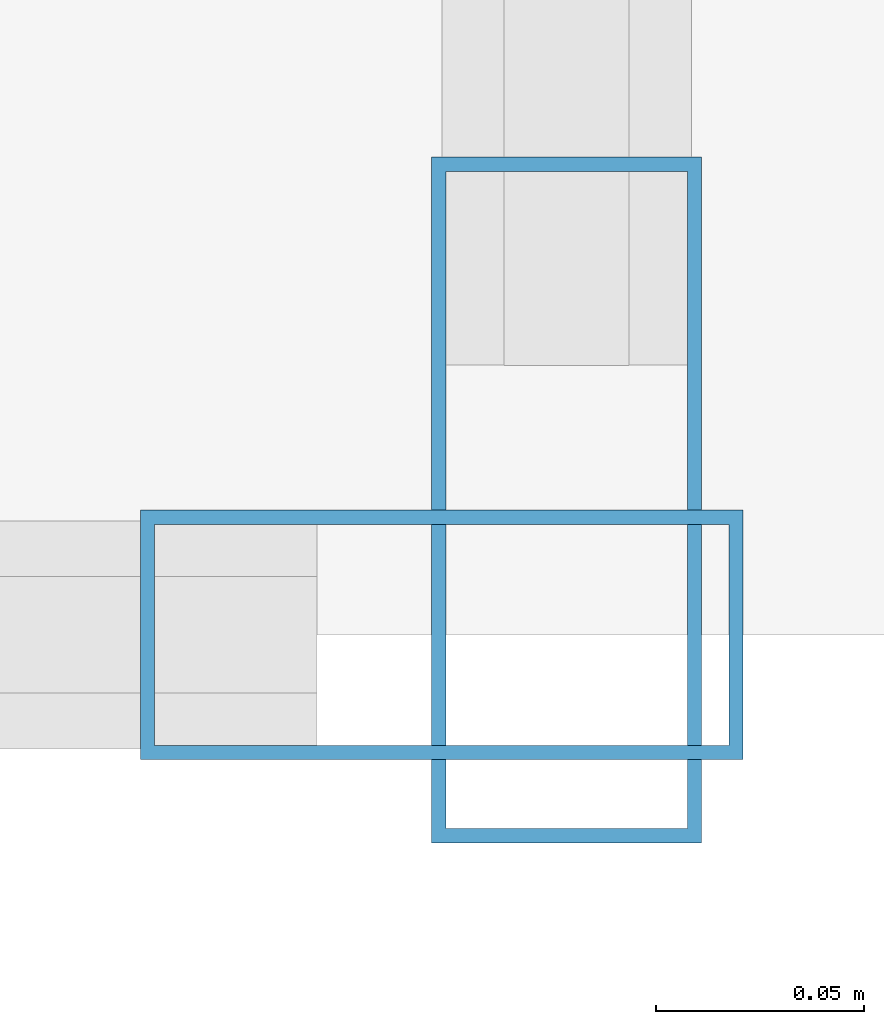
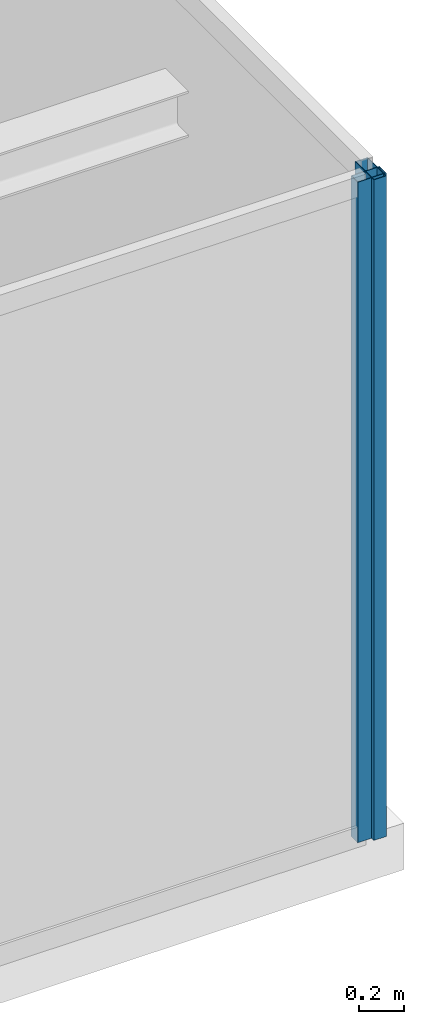
# One storey, part 17 of 31: 2 members, 2 elements without a shape of their own.
"""IFC4 building model written with IfcOpenShell, lengths in metres."""

import ifcopenshell
import ifcopenshell.guid

model = None  # the IFC model being written
_history = None  # IfcOwnerHistory: only IFC2X3 demands one
_inside = {}  # id of a spatial element -> (the spatial element, [elements in it])
_under = {}  # id of a project, library or spatial element -> (it, [spatial elements below it])
_declared = {}  # id of a project -> (the project, [libraries it declares])
_typed = {}  # id of a type object -> (the type object, [elements of that type])
_made_of = {}  # id of a material, layer set ... -> (it, [elements and type objects made of it])


def new_model(schema):
    """Start an empty IFC model of exactly this schema.

    Asked for "IFC4X3", IfcOpenShell would pick the latest addendum, in which some entities
    have other attributes; the version numbers below select the first issue.
    IFC2X3 requires an IfcOwnerHistory on every rooted entity: one is made here for all.
    """
    global model, _history
    if schema == "IFC4X3":
        model = ifcopenshell.file(schema_version=(4, 3, 0, 0))
    else:
        model = ifcopenshell.file(schema=schema)
    _inside.clear()
    _under.clear()
    _declared.clear()
    _typed.clear()
    _made_of.clear()
    _history = None
    if model.schema == "IFC2X3":
        org = make("IfcOrganization", Name="unknown")
        user = make(
            "IfcPersonAndOrganization",
            ThePerson=make("IfcPerson", FamilyName="unknown"),
            TheOrganization=org,
        )
        app = make(
            "IfcApplication",
            ApplicationDeveloper=org,
            Version="unknown",
            ApplicationFullName="unknown",
            ApplicationIdentifier="unknown",
        )
        _history = make(
            "IfcOwnerHistory",
            OwningUser=user,
            OwningApplication=app,
            ChangeAction="ADDED",
            CreationDate=0,
        )
    return model


def make(cls, **values):
    """One entity of the class cls with the attributes given. An attribute that is None is left unset."""
    return model.create_entity(
        cls, **{name: value for name, value in values.items() if value is not None}
    )


def rooted(cls, **values):
    """An entity with a GlobalId (a new one), such as an element, a storey or a relation."""
    return make(cls, GlobalId=ifcopenshell.guid.new(), OwnerHistory=_history, **values)


def si_unit(unit_type, name, prefix=None):
    """IfcSIUnit, for example si_unit("LENGTHUNIT", "METRE", prefix="MILLI")."""
    return make("IfcSIUnit", UnitType=unit_type, Prefix=prefix, Name=name)


def assignment(units):
    """IfcUnitAssignment: the units of a project."""
    return None if units is None else make("IfcUnitAssignment", Units=units)


def point(xyz):
    """IfcCartesianPoint."""
    return None if xyz is None else make("IfcCartesianPoint", Coordinates=xyz)


def direction(xyz):
    """IfcDirection."""
    return None if xyz is None else make("IfcDirection", DirectionRatios=xyz)


def frame(location, z_axis=None, x_axis=None):
    """IfcAxis2Placement3D, a coordinate frame: its origin and axes. An axis left out is left unset."""
    return make(
        "IfcAxis2Placement3D",
        Location=point(location),
        Axis=direction(z_axis),
        RefDirection=direction(x_axis),
    )


def frame_2d(location, x_axis=None):
    """IfcAxis2Placement2D, a coordinate frame in the plane: its origin and x axis."""
    return make(
        "IfcAxis2Placement2D", Location=point(location), RefDirection=direction(x_axis)
    )


def origin():
    """The frame at (0, 0, 0) with its axes left unset."""
    return frame((0.0, 0.0, 0.0))


def origin_2d():
    """The frame at (0, 0) in the plane with its x axis left unset."""
    return frame_2d((0.0, 0.0))


def place(relative_to, where):
    """IfcLocalPlacement: puts the frame where relative to a parent placement (None: the world)."""
    return make(
        "IfcLocalPlacement", PlacementRelTo=relative_to, RelativePlacement=where
    )


def context(
    kind, dimensions, precision=None, world=None, true_north=None, identifier=None
):
    """IfcGeometricRepresentationContext, for example the 3D "Model" context."""
    return make(
        "IfcGeometricRepresentationContext",
        ContextIdentifier=identifier,
        ContextType=kind,
        CoordinateSpaceDimension=dimensions,
        Precision=precision,
        WorldCoordinateSystem=world,
        TrueNorth=true_north,
    )


def subcontext(parent, identifier, kind, view, scale=None):
    """IfcGeometricRepresentationSubContext, for example "Body" below "Model"."""
    return make(
        "IfcGeometricRepresentationSubContext",
        ContextIdentifier=identifier,
        ContextType=kind,
        ParentContext=parent,
        TargetScale=scale,
        TargetView=view,
    )


def project(units=None, contexts=None):
    """IfcProject with its units and contexts."""
    return rooted(
        "IfcProject",
        Name="project",
        RepresentationContexts=contexts,
        UnitsInContext=assignment(units),
    )


def spatial(cls, under=None, at=None, **own):
    """A site, building, storey or space (cls), placed at a placement, below another one or the project."""
    s = rooted(cls, ObjectPlacement=at, **own)
    if under is not None:
        _under.setdefault(under.id(), (under, []))[1].append(s)
    return s


def profile(cls, at=None, kind="AREA", **sizes):
    """A parametric profile (cls). Its sizes go by their IFC names, for example OverallWidth=200.0."""
    return make(cls, ProfileType=kind, Position=at, **sizes)


def hollow_rectangle(**sizes):
    """IfcRectangleHollowProfileDef."""
    return profile("IfcRectangleHollowProfileDef", **sizes)


def extrude(swept, where, along, depth):
    """IfcExtrudedAreaSolid: the profile swept, set in the frame where, extruded along a direction by depth."""
    return make(
        "IfcExtrudedAreaSolid",
        SweptArea=swept,
        Position=where,
        ExtrudedDirection=direction(along),
        Depth=depth,
    )


def shape(context_of_items, identifier, shape_type, items):
    """IfcShapeRepresentation: the items that make up one representation, for example the "Body"."""
    return make(
        "IfcShapeRepresentation",
        ContextOfItems=context_of_items,
        RepresentationIdentifier=identifier,
        RepresentationType=shape_type,
        Items=items,
    )


def source(mapping_origin, context_of_items, identifier, shape_type, items):
    """IfcRepresentationMap: a shape defined once, which mapped items show again and again."""
    return make(
        "IfcRepresentationMap",
        MappingOrigin=mapping_origin,
        MappedRepresentation=shape(context_of_items, identifier, shape_type, items),
    )


def transform(
    local_origin,
    x_axis=None,
    y_axis=None,
    z_axis=None,
    scale=None,
    scale2=None,
    scale3=None,
    uniform=True,
):
    """IfcCartesianTransformationOperator3D, or its non-uniform kind. x_axis, y_axis, z_axis: its Axis1, 2, 3."""
    if uniform:
        return make(
            "IfcCartesianTransformationOperator3D",
            Axis1=direction(x_axis),
            Axis2=direction(y_axis),
            LocalOrigin=point(local_origin),
            Scale=scale,
            Axis3=direction(z_axis),
        )
    return make(
        "IfcCartesianTransformationOperator3DnonUniform",
        Axis1=direction(x_axis),
        Axis2=direction(y_axis),
        LocalOrigin=point(local_origin),
        Scale=scale,
        Axis3=direction(z_axis),
        Scale2=scale2,
        Scale3=scale3,
    )


def mapped(mapping_source, mapping_target):
    """IfcMappedItem: shows the shape of a source again, moved by a transform."""
    return make(
        "IfcMappedItem", MappingSource=mapping_source, MappingTarget=mapping_target
    )


def material(Name=None, Category=None):
    """IfcMaterial."""
    return make("IfcMaterial", Name=Name, Category=Category)


def layer(
    of_material, thickness, ventilated=None, Name=None, Category=None, Priority=None
):
    """IfcMaterialLayer: one layer of a wall or slab, of a material (None: an air gap)."""
    return make(
        "IfcMaterialLayer",
        Material=of_material,
        LayerThickness=thickness,
        IsVentilated=ventilated,
        Name=Name,
        Category=Category,
        Priority=Priority,
    )


def layer_set(layers, Name=None):
    """IfcMaterialLayerSet."""
    return make("IfcMaterialLayerSet", MaterialLayers=layers, LayerSetName=Name)


def material_profile(
    of_material, cross_section, Name=None, Category=None, Priority=None
):
    """IfcMaterialProfile: a cross section and its material."""
    return make(
        "IfcMaterialProfile",
        Name=Name,
        Material=of_material,
        Profile=cross_section,
        Priority=Priority,
        Category=Category,
    )


def profile_set(profiles, Name=None, composite=None):
    """IfcMaterialProfileSet."""
    return make(
        "IfcMaterialProfileSet",
        Name=Name,
        MaterialProfiles=profiles,
        CompositeProfile=composite,
    )


def made_of(thing, what):
    """Note that an element or type object is made of a material, layer set ...; save() writes the relation."""
    if what is not None:
        _made_of.setdefault(what.id(), (what, []))[1].append(thing)
    return thing


def type_object(cls, material=None, **own):
    """A type object (cls), such as IfcWallType, which elements share."""
    return made_of(rooted(cls, **own), material)


def type_shapes(of_type, sources):
    """Give a type object the sources (RepresentationMaps) that its elements show as mapped items."""
    of_type.RepresentationMaps = sources


def element(
    cls,
    number,
    at=None,
    inside=None,
    cuts=None,
    type_object=None,
    material=None,
    context=None,
    identifier="Body",
    shape_type=None,
    held_by="IfcProductDefinitionShape",
    body=None,
    shapes=None,
    **own,
):
    """One element of the class cls, such as IfcWall. Its Tag is "e" and its number.

    at: its placement. inside: the storey or other place that contains it. cuts: it is an
    opening in that element (IfcRelVoidsElement). A single representation is given by context,
    identifier, shape_type and body (its items); several are given by shapes. held_by: the class
    of the entity that holds the representations. save() writes the other relations.
    """
    e = rooted(cls, Tag="e%d" % number, ObjectPlacement=at, **own)
    if body is not None:
        shapes = [shape(context, identifier, shape_type, body)]
    if shapes is not None:
        e.Representation = make(held_by, Representations=shapes)
    if inside is not None:
        _inside.setdefault(inside.id(), (inside, []))[1].append(e)
    if cuts is not None:
        rooted(
            "IfcRelVoidsElement", RelatingBuildingElement=cuts, RelatedOpeningElement=e
        )
    if type_object is not None:
        _typed.setdefault(type_object.id(), (type_object, []))[1].append(e)
    return made_of(e, material)


def aggregate(whole, parts):
    """IfcRelAggregates: a whole, such as a stair, and the parts it consists of."""
    return rooted("IfcRelAggregates", RelatingObject=whole, RelatedObjects=parts)


def save(model, path):
    """Write the relations noted so far, then the file.

    IfcRelAggregates (storeys below a building ...), IfcRelContainedInSpatialStructure (elements
    in a storey), IfcRelDefinesByType, IfcRelAssociatesMaterial and IfcRelDeclares: one each for
    every whole, place, type object, material and project.
    """
    for whole, parts in _under.values():
        aggregate(whole, parts)
    for where, things in _inside.values():
        rooted(
            "IfcRelContainedInSpatialStructure",
            RelatedElements=things,
            RelatingStructure=where,
        )
    for kind, things in _typed.values():
        rooted("IfcRelDefinesByType", RelatedObjects=things, RelatingType=kind)
    for what, things in _made_of.values():
        rooted("IfcRelAssociatesMaterial", RelatedObjects=things, RelatingMaterial=what)
    for by, libraries in _declared.values():
        rooted("IfcRelDeclares", RelatingContext=by, RelatedDefinitions=libraries)
    model.write(path)


model = new_model("IFC4")

# Units and contexts
model_context = context("Model", 3, precision=1e-05, world=origin(), true_north=direction((0.0, 1.0)))
body_context = subcontext(model_context, "Body", "Model", "MODEL_VIEW")
ifc_project = project(units=[si_unit("LENGTHUNIT", "METRE"), si_unit("AREAUNIT", "SQUARE_METRE"), si_unit("VOLUMEUNIT", "CUBIC_METRE"), si_unit("PLANEANGLEUNIT", "RADIAN"), si_unit("MASSUNIT", "GRAM", prefix="KILO")], contexts=[model_context])

# Site, building, storey
site_placement = place(None, origin())
site = spatial("IfcSite", under=ifc_project, at=site_placement, CompositionType="ELEMENT")
building_placement = place(site_placement, origin())
building = spatial("IfcBuilding", under=site, at=building_placement, Name="Varnel Quay Broadcast Tower", CompositionType="ELEMENT")
storey_placement = place(building_placement, frame((0.0, 0.0, 239.39990234375)))
storey = spatial("IfcBuildingStorey", under=building, at=storey_placement, Name="L59", CompositionType="ELEMENT", Elevation=239.39990234375)

# Curtain wall, member
ifc_material = material(Name="Anodised Bronze Aluminium 6063-T6", Category="aluminium")
ifc_layer_1 = layer(ifc_material, 0.18994140625, Name="Anodised Bronze Aluminium 6063-T6")
ifc_layer_set_1 = layer_set([ifc_layer_1], Name="Anodised Bronze Aluminium 6063-T6")
curtain_wall_type_1 = type_object("IfcCurtainWallType", Name="CW_NotchCorner", PredefinedType="NOTDEFINED", material=ifc_layer_set_1)
curtain_wall_1_placement = place(storey_placement, origin())
curtain_wall_1 = element("IfcCurtainWall", 1, at=curtain_wall_1_placement, inside=storey, type_object=curtain_wall_type_1, Name="L59 SE Notch Curtain Wall", PredefinedType="NOTDEFINED")
ifc_material_profile_1 = material_profile(ifc_material, hollow_rectangle(XDim=0.06005859375, YDim=0.14501953125, WallThickness=0.00341796875, at=origin_2d()), Name="ALU60X145X3.5")
ifc_profile_set_1 = profile_set([ifc_material_profile_1], Name="Anodised Bronze Aluminium 6063-T6")
member_type_1 = type_object("IfcMemberType", Name="Mull_CWS-04", PredefinedType="MULLION", material=ifc_profile_set_1)
shared_shape_1 = source(origin(), body_context, "Body", "SweptSolid", [
    extrude(hollow_rectangle(XDim=0.06005859375, YDim=0.14501953125, WallThickness=0.00341796875, at=origin_2d()), origin(), (0.0, 0.0, 1.0), 3.550048828125),
])
type_shapes(member_type_1, [shared_shape_1])
member_1_placement = place(storey_placement, frame((58.320068359375, 13.60009765625, 0.0), z_axis=(0.0, 0.0, 1.0), x_axis=(0.0, 1.0, 0.0)))
member_1 = element("IfcMember", 2, at=member_1_placement, type_object=member_type_1, Name="CWS-04 mullion 2", PredefinedType="MULLION", context=body_context, shape_type="MappedRepresentation", body=[
    mapped(shared_shape_1, transform((0.0, 0.0, 0.0), x_axis=(1.0, 0.0, 0.0), y_axis=(0.0, 1.0, 0.0), z_axis=(0.0, 0.0, 1.0), scale=1.0)),
])
aggregate(curtain_wall_1, [member_1])

ifc_layer_2 = layer(ifc_material, 0.18994140625, Name="Anodised Bronze Aluminium 6063-T6")
ifc_layer_set_2 = layer_set([ifc_layer_2], Name="Anodised Bronze Aluminium 6063-T6")
curtain_wall_type_2 = type_object("IfcCurtainWallType", Name="CW_UpperTower", PredefinedType="NOTDEFINED", material=ifc_layer_set_2)
curtain_wall_2_placement = place(storey_placement, origin())
curtain_wall_2 = element("IfcCurtainWall", 3, at=curtain_wall_2_placement, inside=storey, type_object=curtain_wall_type_2, Name="L59 East Unitised Curtain Wall", PredefinedType="NOTDEFINED")
ifc_material_profile_2 = material_profile(ifc_material, hollow_rectangle(XDim=0.06494140625, YDim=0.1650390625, WallThickness=0.00341796875, at=origin_2d()), Name="ALU65X165X3.5")
ifc_profile_set_2 = profile_set([ifc_material_profile_2], Name="Anodised Bronze Aluminium 6063-T6")
member_type_2 = type_object("IfcMemberType", Name="Mull_CWS-03", PredefinedType="MULLION", material=ifc_profile_set_2)
shared_shape_2 = source(origin(), body_context, "Body", "SweptSolid", [
    extrude(hollow_rectangle(XDim=0.06494140625, YDim=0.1650390625, WallThickness=0.00341796875, at=origin_2d()), origin(), (0.0, 0.0, 1.0), 3.550048828125),
])
type_shapes(member_type_2, [shared_shape_2])
member_2_placement = place(storey_placement, frame((58.35009765625, 13.632568359375, 0.0), z_axis=(0.0, 0.0, 1.0), x_axis=(-1.0, 0.0, 0.0)))
member_2 = element("IfcMember", 4, at=member_2_placement, type_object=member_type_2, Name="CWS-03 mullion 1", PredefinedType="MULLION", context=body_context, shape_type="MappedRepresentation", body=[
    mapped(shared_shape_2, transform((0.0, 0.0, 0.0), x_axis=(1.0, 0.0, 0.0), y_axis=(0.0, 1.0, 0.0), z_axis=(0.0, 0.0, 1.0), scale=1.0)),
])
aggregate(curtain_wall_2, [member_2])

save(model, "model.ifc")
